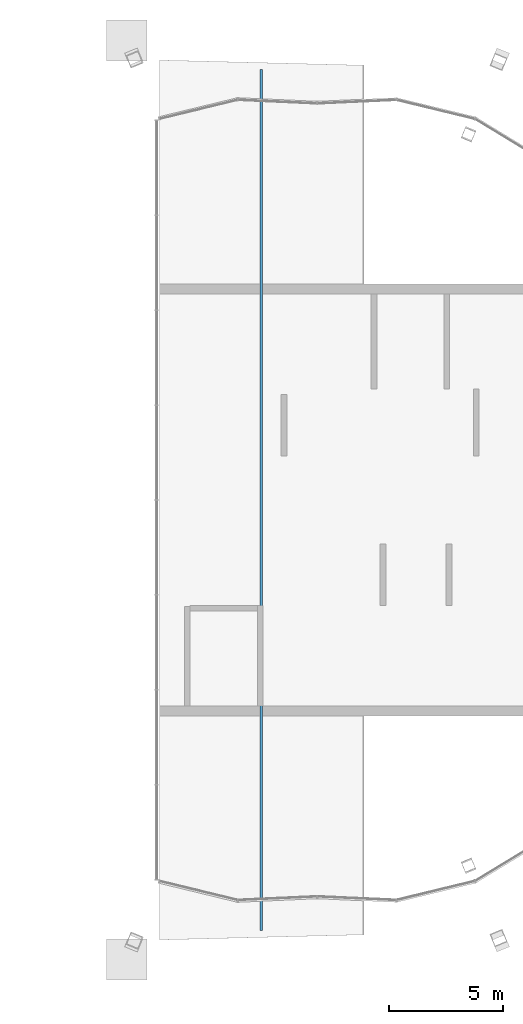
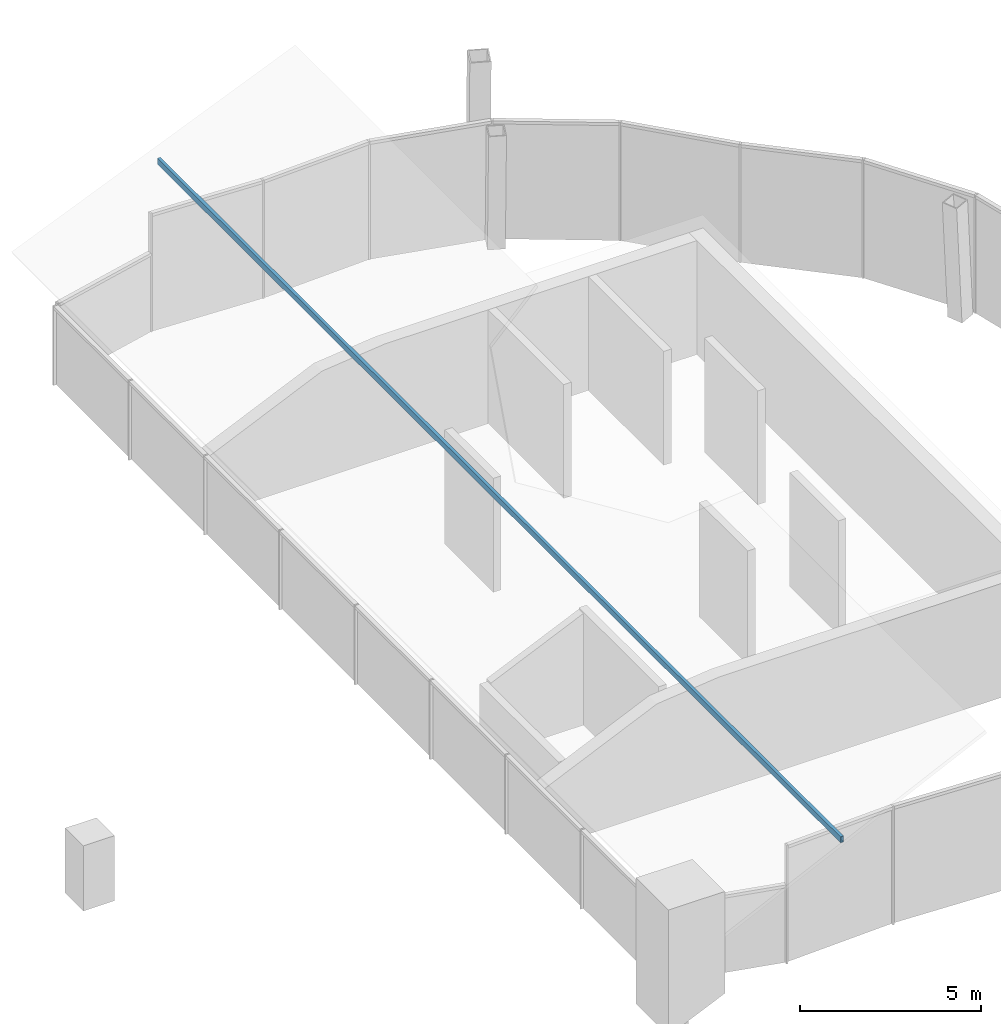
# One storey, part 4 of 14: 1 member.
"""IFC4 building model written with IfcOpenShell, lengths in metres."""

from ifc_helpers import new_model, si_unit, direction, frame, origin, origin_2d, place, context, subcontext, project, spatial, hollow_rectangle, extrude, material, material_profile, profile_set, type_object, element, save


model = new_model("IFC4")

# Units and contexts
model_context = context("Model", 3, precision=1e-05, world=origin(), true_north=direction((0.0, 1.0)))
body_context = subcontext(model_context, "Body", "Model", "MODEL_VIEW")
ifc_project = project(units=[si_unit("LENGTHUNIT", "METRE"), si_unit("AREAUNIT", "SQUARE_METRE"), si_unit("VOLUMEUNIT", "CUBIC_METRE"), si_unit("PLANEANGLEUNIT", "RADIAN"), si_unit("MASSUNIT", "GRAM", prefix="KILO")], contexts=[model_context])

# Site, building, storey
site_placement = place(None, origin())
site = spatial("IfcSite", under=ifc_project, at=site_placement, CompositionType="ELEMENT")
building_placement = place(site_placement, origin())
building = spatial("IfcBuilding", under=site, at=building_placement, Name="Ogive Gate Towers", CompositionType="ELEMENT")
storey_placement = place(building_placement, frame((0.0, 0.0, 306.0)))
storey = spatial("IfcBuildingStorey", under=building, at=storey_placement, Name="L72", CompositionType="ELEMENT", Elevation=306.0)

# Member
ifc_material = material(Name="Steel SM460", Category="steel")
ifc_material_profile = material_profile(ifc_material, hollow_rectangle(XDim=0.10009765625, YDim=0.199951171875, WallThickness=0.008056640625, at=origin_2d()), Name="RHS 200x100x8")
ifc_profile_set = profile_set([ifc_material_profile], Name="Steel SM460")
member_type = type_object("IfcMemberType", Name="Crown roof purlin RHS 200 x 100", PredefinedType="PURLIN", material=ifc_profile_set)
member_placement = place(storey_placement, frame((-38.458740234375, -18.91845703125, 4.300048828125), z_axis=(0.0, 1.0, 0.0), x_axis=(-1.0, 0.0, 0.0)))
element("IfcMember", 1, at=member_placement, inside=storey, type_object=member_type, Name="Crown roof purlin", PredefinedType="PURLIN", context=body_context, shape_type="SweptSolid", body=[
    extrude(hollow_rectangle(XDim=0.10009765625, YDim=0.199951171875, WallThickness=0.008056640625, at=origin_2d()), origin(), (0.0, 0.0, 1.0), 37.8369140625),
])

save(model, "model.ifc")
